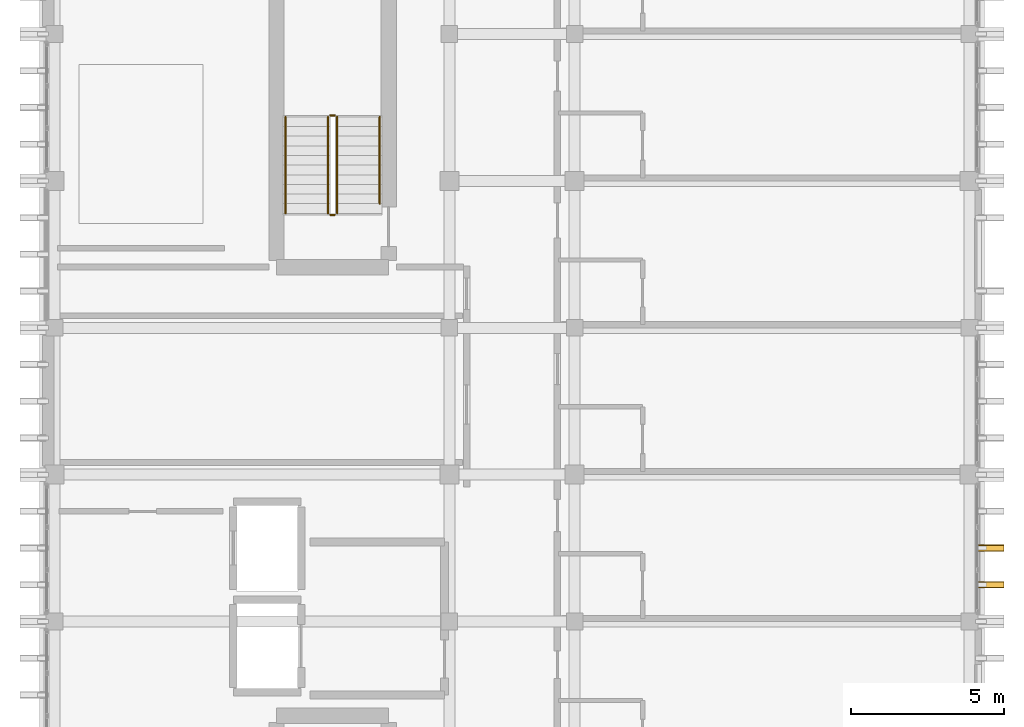
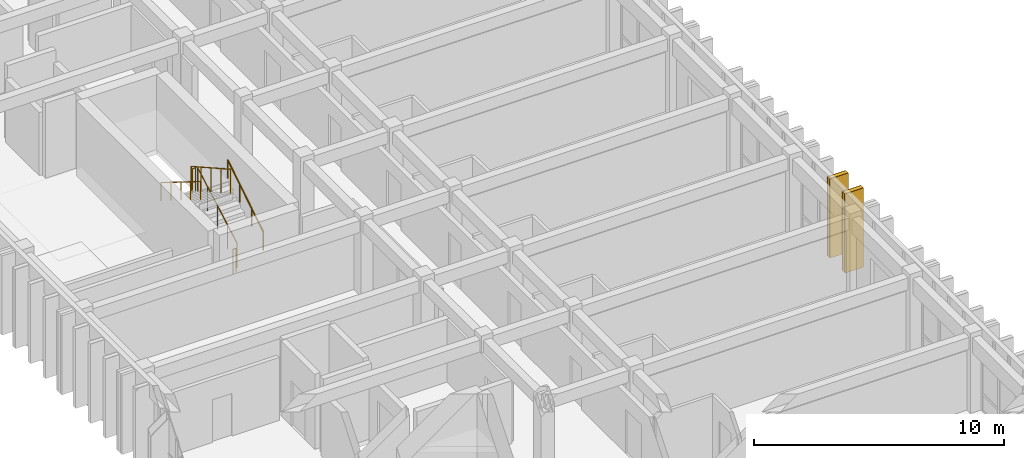
# One storey, part 49 of 50: 6 railings, 2 coverings, 2 shading devices.
"""IFC4 building model written with IfcOpenShell, lengths in metres."""

from ifc_helpers import new_model, si_unit, direction, frame, origin, origin_2d, place, context, subcontext, project, spatial, rectangle, circle, extrude, material, layer, layer_set, type_object, element, save


model = new_model("IFC4")

# Units and contexts
model_context = context("Model", 3, precision=1e-05, world=origin(), true_north=direction((0.0, 1.0)))
body_context = subcontext(model_context, "Body", "Model", "MODEL_VIEW")
ifc_project = project(units=[si_unit("LENGTHUNIT", "METRE"), si_unit("AREAUNIT", "SQUARE_METRE"), si_unit("VOLUMEUNIT", "CUBIC_METRE"), si_unit("PLANEANGLEUNIT", "RADIAN"), si_unit("MASSUNIT", "GRAM", prefix="KILO")], contexts=[model_context])

# Site, building, storey
site_placement = place(None, origin())
site = spatial("IfcSite", under=ifc_project, at=site_placement, CompositionType="ELEMENT")
building_placement = place(site_placement, origin())
building = spatial("IfcBuilding", under=site, at=building_placement, Name="Nakhvara Creek Congress Hotel", CompositionType="ELEMENT")
storey_placement = place(building_placement, frame((0.0, 0.0, 42.60009765625)))
storey = spatial("IfcBuildingStorey", under=building, at=storey_placement, Name="L10", CompositionType="ELEMENT", Elevation=42.60009765625)

# Coverings
ifc_material_1 = material(Name="Honed pale Omani limestone architectural cladding", Category="masonry")
ifc_layer = layer(ifc_material_1, 0.219970703125)
ifc_layer_set = layer_set([ifc_layer], Name="Honed pale Omani limestone architectural cladding")
covering_type = type_object("IfcCoveringType", Name="COV-FIN-850", PredefinedType="CLADDING", material=ifc_layer_set)
for number, where, z_axis, x_axis, name in (
    (1, (180.054931640625, 92.39990234375, 0.0), (0.0, 0.0, 1.0), (0.0, 1.0, 0.0), "Pale Limestone Fin Cladding CF01-2339"),
    (2, (180.054931640625, 93.60009765625, 0.0), (0.0, 0.0, 1.0), (0.0, 1.0, 0.0), "Pale Limestone Fin Cladding CF01-2341"),
):
    element("IfcCovering", number, at=place(storey_placement, frame(where, z_axis=z_axis, x_axis=x_axis)), inside=storey, type_object=covering_type, Name=name, PredefinedType="CLADDING", context=body_context, shape_type="SweptSolid", body=[
        extrude(rectangle(XDim=0.219970703125, YDim=0.85009765625, at=origin_2d()), origin(), (0.0, 0.0, 1.0), 3.860107421875),
    ])

# Railings
ifc_material_2 = material(Name="Brushed stainless steel 316L", Category="steel")
railing_type_1 = type_object("IfcRailingType", Name="RL-GUARD-1200", PredefinedType="GUARDRAIL", material=ifc_material_2)
railing_1_placement = place(storey_placement, frame((158.68505859375, 104.5400390625, 0.17724609375)))
element("IfcRailing", 3, at=railing_1_placement, inside=storey, type_object=railing_type_1, Name="L10 ST02 stair guard 1", PredefinedType="GUARDRAIL", context=body_context, shape_type="SweptSolid", body=[
    extrude(circle(Radius=0.02392578125, at=origin_2d()), frame((0.0, 0.0126953125, 1.18310546875), z_axis=(0.0, 0.871470892042, 0.490447228888), x_axis=(-1.0, 0.0, 0.0)), (0.0, 0.0, 1.0), 3.5849609375),
    extrude(circle(Radius=0.02099609375, at=origin_2d()), origin(), (0.0, 0.0, 1.0), 1.1806640625),
    extrude(circle(Radius=0.02099609375, at=origin_2d()), frame((0.0, 0.78759765625, 0.443115234375)), (0.0, 0.0, 1.0), 1.1806640625),
    extrude(circle(Radius=0.02099609375, at=origin_2d()), frame((0.0, 1.574951171875, 0.88623046875)), (0.0, 0.0, 1.0), 1.1806640625),
    extrude(circle(Radius=0.02099609375, at=origin_2d()), frame((0.0, 2.3623046875, 1.32958984375)), (0.0, 0.0, 1.0), 1.1806640625),
    extrude(circle(Radius=0.02099609375, at=origin_2d()), frame((0.0, 3.14990234375, 1.772705078125)), (0.0, 0.0, 1.0), 1.1806640625),
])
railing_2_placement = place(storey_placement, frame((158.610107421875, 107.739990234375, 1.949951171875)))
element("IfcRailing", 4, at=railing_2_placement, inside=storey, type_object=railing_type_1, Name="L10 ST02 stair guard 2", PredefinedType="GUARDRAIL", context=body_context, shape_type="SweptSolid", body=[
    extrude(circle(Radius=0.02392578125, at=origin_2d()), frame((-0.0146484375, 0.0, 1.17578125), z_axis=(-1.0, 0.0, 0.0), x_axis=(0.0, -1.0, 0.0)), (0.0, 0.0, 1.0), 0.120849609375),
    extrude(circle(Radius=0.02099609375, at=origin_2d()), origin(), (0.0, 0.0, 1.0), 1.1806640625),
    extrude(circle(Radius=0.02099609375, at=origin_2d()), frame((-0.150146484375, 0.0, 0.0)), (0.0, 0.0, 1.0), 1.1806640625),
])
railing_3_placement = place(storey_placement, frame((158.385009765625, 107.68994140625, 2.127197265625)))
element("IfcRailing", 5, at=railing_3_placement, inside=storey, type_object=railing_type_1, Name="L10 ST02 stair guard 3", PredefinedType="GUARDRAIL", context=body_context, shape_type="SweptSolid", body=[
    extrude(circle(Radius=0.02392578125, at=origin_2d()), frame((0.0, -0.0126953125, 1.18310546875), z_axis=(0.0, -0.871470892042, 0.490447228888), x_axis=(1.0, 0.0, 0.0)), (0.0, 0.0, 1.0), 3.5849609375),
    extrude(circle(Radius=0.02099609375, at=origin_2d()), origin(), (0.0, 0.0, 1.0), 1.1806640625),
    extrude(circle(Radius=0.02099609375, at=origin_2d()), frame((0.0, -0.78759765625, 0.443115234375)), (0.0, 0.0, 1.0), 1.1806640625),
    extrude(circle(Radius=0.02099609375, at=origin_2d()), frame((0.0, -1.574951171875, 0.88623046875)), (0.0, 0.0, 1.0), 1.1806640625),
    extrude(circle(Radius=0.02099609375, at=origin_2d()), frame((0.0, -2.3623046875, 1.32958984375)), (0.0, 0.0, 1.0), 1.1806640625),
    extrude(circle(Radius=0.02099609375, at=origin_2d()), frame((0.0, -3.14990234375, 1.772705078125)), (0.0, 0.0, 1.0), 1.1806640625),
])
railing_4_placement = place(storey_placement, frame((158.610107421875, 104.489990234375, 0.0)))
element("IfcRailing", 6, at=railing_4_placement, inside=storey, type_object=railing_type_1, Name="L10 ST02 stair guard 4", PredefinedType="GUARDRAIL", context=body_context, shape_type="SweptSolid", body=[
    extrude(circle(Radius=0.02392578125, at=origin_2d()), frame((-0.0146484375, 0.0, 1.17578125), z_axis=(-1.0, 0.0, 0.0), x_axis=(0.0, -1.0, 0.0)), (0.0, 0.0, 1.0), 0.120849609375),
    extrude(circle(Radius=0.02099609375, at=origin_2d()), origin(), (0.0, 0.0, 1.0), 1.1806640625),
    extrude(circle(Radius=0.02099609375, at=origin_2d()), frame((-0.150146484375, 0.0, 0.0)), (0.0, 0.0, 1.0), 1.1806640625),
])
railing_type_2 = type_object("IfcRailingType", Name="RL-HAND-900", PredefinedType="HANDRAIL", material=ifc_material_2)
railing_5_placement = place(storey_placement, frame((160.074951171875, 104.85498046875, 0.3544921875)))
element("IfcRailing", 7, at=railing_5_placement, inside=storey, type_object=railing_type_2, Name="L10 ST02 stair handrail 1", PredefinedType="HANDRAIL", context=body_context, shape_type="SweptSolid", body=[
    extrude(circle(Radius=0.02392578125, at=origin_2d()), frame((0.0, 0.012451171875, 0.8837890625), z_axis=(0.0, 0.846405642229, 0.532538720473), x_axis=(-1.0, 0.0, 0.0)), (0.0, 0.0, 1.0), 3.320068359375),
    extrude(circle(Radius=0.02099609375, at=origin_2d()), origin(), (0.0, 0.0, 1.0), 0.880615234375),
    extrude(circle(Radius=0.02099609375, at=origin_2d()), frame((0.0, 0.945068359375, 0.594482421875)), (0.0, 0.0, 1.0), 0.880615234375),
    extrude(circle(Radius=0.02099609375, at=origin_2d()), frame((0.0, 1.889892578125, 1.189208984375)), (0.0, 0.0, 1.0), 0.880615234375),
    extrude(circle(Radius=0.02099609375, at=origin_2d()), frame((0.0, 2.8349609375, 1.78369140625)), (0.0, 0.0, 1.0), 0.880615234375),
])
railing_6_placement = place(storey_placement, frame((156.9951171875, 107.68994140625, 2.127197265625)))
element("IfcRailing", 8, at=railing_6_placement, inside=storey, type_object=railing_type_2, Name="L10 ST02 stair handrail 2", PredefinedType="HANDRAIL", context=body_context, shape_type="SweptSolid", body=[
    extrude(circle(Radius=0.02392578125, at=origin_2d()), frame((0.0, -0.012451171875, 0.883544921875), z_axis=(0.0, -0.848935899766, 0.52849582599), x_axis=(1.0, 0.0, 0.0)), (0.0, 0.0, 1.0), 3.680908203125),
    extrude(circle(Radius=0.02099609375, at=origin_2d()), origin(), (0.0, 0.0, 1.0), 0.880615234375),
    extrude(circle(Radius=0.02099609375, at=origin_2d()), frame((0.0, -0.78759765625, 0.490234375)), (0.0, 0.0, 1.0), 0.880615234375),
    extrude(circle(Radius=0.02099609375, at=origin_2d()), frame((0.0, -1.574951171875, 0.98046875)), (0.0, 0.0, 1.0), 0.880615234375),
    extrude(circle(Radius=0.02099609375, at=origin_2d()), frame((0.0, -2.3623046875, 1.470703125)), (0.0, 0.0, 1.0), 0.880615234375),
    extrude(circle(Radius=0.02099609375, at=origin_2d()), frame((0.0, -3.14990234375, 1.9609375)), (0.0, 0.0, 1.0), 0.880615234375),
])

# Shading devices
ifc_material_3 = material(Name="Honed pale Omani limestone cladding on stainless steel spine", Category="masonry")
shading_device_type = type_object("IfcShadingDeviceType", Name="SHD-FIN-850X3600", PredefinedType="USERDEFINED", material=ifc_material_3)
for number, where, z_axis, x_axis, name in (
    (9, (180.054931640625, 92.39990234375, 0.0), (0.0, 0.0, 1.0), (0.0, 1.0, 0.0), "Limestone Solar Fin FN01-2204"),
    (10, (180.054931640625, 93.60009765625, 0.0), (0.0, 0.0, 1.0), (0.0, 1.0, 0.0), "Limestone Solar Fin FN01-2206"),
):
    element("IfcShadingDevice", number, at=place(storey_placement, frame(where, z_axis=z_axis, x_axis=x_axis)), inside=storey, type_object=shading_device_type, Name=name, ObjectType="FIN", PredefinedType="USERDEFINED", context=body_context, shape_type="SweptSolid", body=[
        extrude(rectangle(XDim=0.179931640625, YDim=0.85009765625, at=origin_2d()), origin(), (0.0, 0.0, 1.0), 3.860107421875),
    ])

save(model, "model.ifc")
